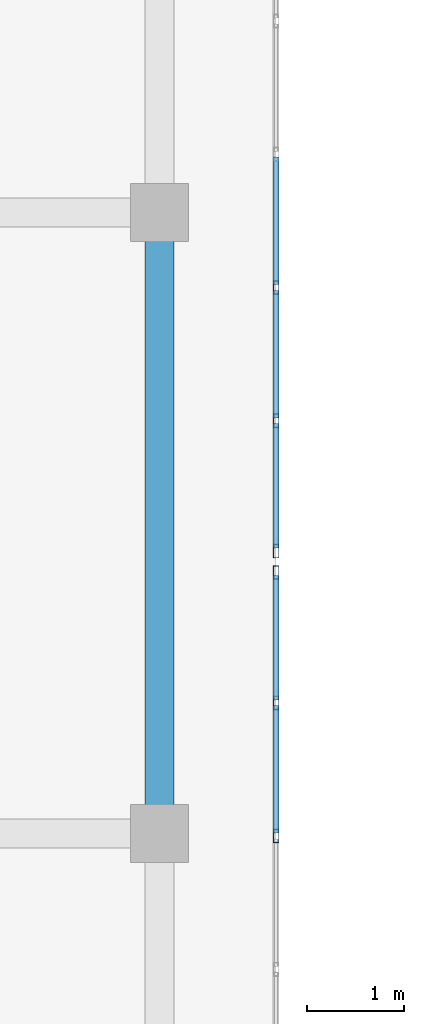
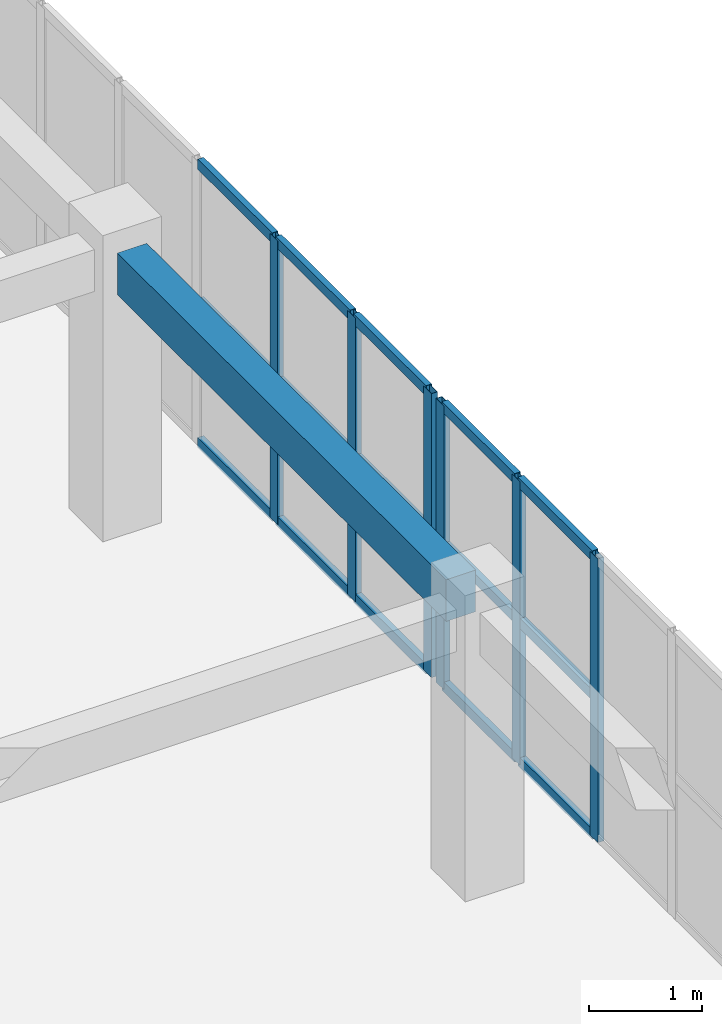
# One storey, part 113 of 200: 21 members, 1 beam, 2 elements without a shape of their own.
"""IFC4 building model written with IfcOpenShell, lengths in metres."""

from ifc_helpers import new_model, si_unit, direction, frame, origin, origin_2d, place, context, subcontext, project, spatial, rectangle, hollow_rectangle, extrude, material, layer, layer_set, material_profile, profile_set, type_object, element, aggregate, save


model = new_model("IFC4")

# Units and contexts
model_context = context("Model", 3, precision=1e-05, world=origin(), true_north=direction((0.0, 1.0)))
body_context = subcontext(model_context, "Body", "Model", "MODEL_VIEW")
ifc_project = project(units=[si_unit("LENGTHUNIT", "METRE"), si_unit("AREAUNIT", "SQUARE_METRE"), si_unit("VOLUMEUNIT", "CUBIC_METRE"), si_unit("PLANEANGLEUNIT", "RADIAN"), si_unit("MASSUNIT", "GRAM", prefix="KILO")], contexts=[model_context])

# Site, building, storey
site_placement = place(None, origin())
site = spatial("IfcSite", under=ifc_project, at=site_placement, CompositionType="ELEMENT")
building_placement = place(site_placement, origin())
building = spatial("IfcBuilding", under=site, at=building_placement, Name="Trelvath General Hospital", CompositionType="ELEMENT")
storey_placement = place(building_placement, frame((0.0, 0.0, 4.800048828125)))
storey = spatial("IfcBuildingStorey", under=building, at=storey_placement, Name="L01", CompositionType="ELEMENT", Elevation=4.800048828125)

# Beam
ifc_material_1 = material(Name="Concrete C35/45", Category="concrete")
ifc_material_profile_1 = material_profile(ifc_material_1, rectangle(XDim=0.300048828125, YDim=0.449951171875, at=origin_2d()), Name="RCB300x450")
ifc_profile_set_1 = profile_set([ifc_material_profile_1], Name="Concrete C35/45")
beam_type = type_object("IfcBeamType", Name="Beam RC300x450", PredefinedType="BEAM", material=ifc_profile_set_1)
beam_placement = place(storey_placement, frame((120.0, 73.095947265625, 2.8349609375), z_axis=(0.0, 1.0, 0.0), x_axis=(-1.0, 0.0, 0.0)))
element("IfcBeam", 1, at=beam_placement, inside=storey, type_object=beam_type, Name="Cube Interior Ring Beam CUBE-E-T0 L01", PredefinedType="BEAM", context=body_context, shape_type="SweptSolid", body=[
    extrude(rectangle(XDim=0.300048828125, YDim=0.449951171875, at=origin_2d()), origin(), (0.0, 0.0, 1.0), 5.80810546875),
])

# Curtain wall, members
ifc_material_2 = material(Name="Anodised aluminium and low-E glass", Category="aluminium")
ifc_layer = layer(ifc_material_2, 0.14990234375)
ifc_layer_set = layer_set([ifc_layer], Name="Anodised aluminium and low-E glass")
curtain_wall_type = type_object("IfcCurtainWallType", Name="CW CrystalCube 824 306 15", PredefinedType="USERDEFINED", material=ifc_layer_set)
curtain_wall_1_placement = place(storey_placement, origin())
curtain_wall_1 = element("IfcCurtainWall", 2, at=curtain_wall_1_placement, inside=storey, type_object=curtain_wall_type, Name="Crystal Cube Curtain Wall CUBE-E-T0 E5 L01", ObjectType="Unitised Glazed Curtain Wall", PredefinedType="USERDEFINED")
ifc_material_3 = material(Name="Anodised aluminium", Category="aluminium")
ifc_material_profile_2 = material_profile(ifc_material_3, hollow_rectangle(XDim=0.06005859375, YDim=0.139892578125, WallThickness=0.00390625, at=origin_2d()), Name="RHS60x140x4")
ifc_profile_set_2 = profile_set([ifc_material_profile_2], Name="Anodised aluminium")
member_type_1 = type_object("IfcMemberType", Name="CurtainMullion 60x140", PredefinedType="MULLION", material=ifc_profile_set_2)
member_1_placement = place(storey_placement, frame((121.199951171875, 75.489990234375, 0.0), z_axis=(0.0, 0.0, 1.0), x_axis=(1.0, 0.0, 0.0)))
member_1 = element("IfcMember", 3, at=member_1_placement, type_object=member_type_1, Name="CW-166 mullion 1", PredefinedType="MULLION", context=body_context, shape_type="SweptSolid", body=[
    extrude(hollow_rectangle(XDim=0.06005859375, YDim=0.139892578125, WallThickness=0.00390625, at=origin_2d()), origin(), (0.0, 0.0, 1.0), 3.06005859375),
])
member_2_placement = place(storey_placement, frame((121.199951171875, 74.146728515625, 0.0), z_axis=(0.0, 0.0, 1.0), x_axis=(1.0, 0.0, 0.0)))
member_2 = element("IfcMember", 4, at=member_2_placement, type_object=member_type_1, Name="CW-166 mullion 2", PredefinedType="MULLION", context=body_context, shape_type="SweptSolid", body=[
    extrude(hollow_rectangle(XDim=0.06005859375, YDim=0.139892578125, WallThickness=0.00390625, at=origin_2d()), origin(), (0.0, 0.0, 1.0), 3.06005859375),
])
member_3_placement = place(storey_placement, frame((121.199951171875, 72.7734375, 0.0), z_axis=(0.0, 0.0, 1.0), x_axis=(1.0, 0.0, 0.0)))
member_3 = element("IfcMember", 5, at=member_3_placement, type_object=member_type_1, Name="CW-166 mullion 3", PredefinedType="MULLION", context=body_context, shape_type="SweptSolid", body=[
    extrude(hollow_rectangle(XDim=0.06005859375, YDim=0.139892578125, WallThickness=0.00390625, at=origin_2d()), origin(), (0.0, 0.0, 1.0), 3.06005859375),
])

curtain_wall_2_placement = place(storey_placement, origin())
curtain_wall_2 = element("IfcCurtainWall", 6, at=curtain_wall_2_placement, inside=storey, type_object=curtain_wall_type, Name="Crystal Cube Curtain Wall CUBE-E-T0 E6 L01", ObjectType="Unitised Glazed Curtain Wall", PredefinedType="USERDEFINED")
member_4_placement = place(storey_placement, frame((121.199951171875, 78.4267578125, 0.0), z_axis=(0.0, 0.0, 1.0), x_axis=(1.0, 0.0, 0.0)))
member_4 = element("IfcMember", 7, at=member_4_placement, type_object=member_type_1, Name="CW-168 mullion 5", PredefinedType="MULLION", context=body_context, shape_type="SweptSolid", body=[
    extrude(hollow_rectangle(XDim=0.06005859375, YDim=0.139892578125, WallThickness=0.00390625, at=origin_2d()), origin(), (0.0, 0.0, 1.0), 3.06005859375),
])
member_5_placement = place(storey_placement, frame((121.199951171875, 77.05322265625, 0.0), z_axis=(0.0, 0.0, 1.0), x_axis=(1.0, 0.0, 0.0)))
member_5 = element("IfcMember", 8, at=member_5_placement, type_object=member_type_1, Name="CW-168 mullion 6", PredefinedType="MULLION", context=body_context, shape_type="SweptSolid", body=[
    extrude(hollow_rectangle(XDim=0.06005859375, YDim=0.139892578125, WallThickness=0.00390625, at=origin_2d()), origin(), (0.0, 0.0, 1.0), 3.06005859375),
])
member_6_placement = place(storey_placement, frame((121.199951171875, 75.7099609375, 0.0), z_axis=(0.0, 0.0, 1.0), x_axis=(1.0, 0.0, 0.0)))
member_6 = element("IfcMember", 9, at=member_6_placement, type_object=member_type_1, Name="CW-168 mullion 7", PredefinedType="MULLION", context=body_context, shape_type="SweptSolid", body=[
    extrude(hollow_rectangle(XDim=0.06005859375, YDim=0.139892578125, WallThickness=0.00390625, at=origin_2d()), origin(), (0.0, 0.0, 1.0), 3.06005859375),
])

# Member
ifc_material_4 = material(Name="Anodised aluminium", Category="aluminium")
ifc_material_profile_3 = material_profile(ifc_material_4, hollow_rectangle(XDim=0.06005859375, YDim=0.110107421875, WallThickness=0.00390625, at=origin_2d()), Name="RHS60x110x4")
ifc_profile_set_3 = profile_set([ifc_material_profile_3], Name="Anodised aluminium")
member_type_2 = type_object("IfcMemberType", Name="CurtainTransom 60x110", PredefinedType="USERDEFINED", material=ifc_profile_set_3)
member_7_placement = place(storey_placement, frame((121.199951171875, 75.4599609375, 0.030029296875), z_axis=(0.0, -1.0, 0.0), x_axis=(1.0, 0.0, 0.0)))
member_7 = element("IfcMember", 10, at=member_7_placement, type_object=member_type_2, Name="CW-166 transom 1.1", ObjectType="TRANSOM", PredefinedType="USERDEFINED", context=body_context, shape_type="SweptSolid", body=[
    extrude(hollow_rectangle(XDim=0.06005859375, YDim=0.110107421875, WallThickness=0.00390625, at=origin_2d()), origin(), (0.0, 0.0, 1.0), 1.283203125),
])

member_8_placement = place(storey_placement, frame((121.199951171875, 75.4599609375, 1.530029296875), z_axis=(0.0, -1.0, 0.0), x_axis=(1.0, 0.0, 0.0)))
member_8 = element("IfcMember", 11, at=member_8_placement, type_object=member_type_2, Name="CW-166 transom 1.2", ObjectType="TRANSOM", PredefinedType="USERDEFINED", context=body_context, shape_type="SweptSolid", body=[
    extrude(hollow_rectangle(XDim=0.06005859375, YDim=0.110107421875, WallThickness=0.00390625, at=origin_2d()), origin(), (0.0, 0.0, 1.0), 1.283203125),
])

member_9_placement = place(storey_placement, frame((121.199951171875, 75.4599609375, 3.030029296875), z_axis=(0.0, -1.0, 0.0), x_axis=(1.0, 0.0, 0.0)))
member_9 = element("IfcMember", 12, at=member_9_placement, type_object=member_type_2, Name="CW-166 transom 1.3", ObjectType="TRANSOM", PredefinedType="USERDEFINED", context=body_context, shape_type="SweptSolid", body=[
    extrude(hollow_rectangle(XDim=0.06005859375, YDim=0.110107421875, WallThickness=0.00390625, at=origin_2d()), origin(), (0.0, 0.0, 1.0), 1.283203125),
])

member_10_placement = place(storey_placement, frame((121.199951171875, 74.11669921875, 0.030029296875), z_axis=(0.0, -1.0, 0.0), x_axis=(1.0, 0.0, 0.0)))
member_10 = element("IfcMember", 13, at=member_10_placement, type_object=member_type_2, Name="CW-166 transom 2.1", ObjectType="TRANSOM", PredefinedType="USERDEFINED", context=body_context, shape_type="SweptSolid", body=[
    extrude(hollow_rectangle(XDim=0.06005859375, YDim=0.110107421875, WallThickness=0.00390625, at=origin_2d()), origin(), (0.0, 0.0, 1.0), 1.3134765625),
])

member_11_placement = place(storey_placement, frame((121.199951171875, 74.11669921875, 1.530029296875), z_axis=(0.0, -1.0, 0.0), x_axis=(1.0, 0.0, 0.0)))
member_11 = element("IfcMember", 14, at=member_11_placement, type_object=member_type_2, Name="CW-166 transom 2.2", ObjectType="TRANSOM", PredefinedType="USERDEFINED", context=body_context, shape_type="SweptSolid", body=[
    extrude(hollow_rectangle(XDim=0.06005859375, YDim=0.110107421875, WallThickness=0.00390625, at=origin_2d()), origin(), (0.0, 0.0, 1.0), 1.3134765625),
])

member_12_placement = place(storey_placement, frame((121.199951171875, 74.11669921875, 3.030029296875), z_axis=(0.0, -1.0, 0.0), x_axis=(1.0, 0.0, 0.0)))
member_12 = element("IfcMember", 15, at=member_12_placement, type_object=member_type_2, Name="CW-166 transom 2.3", ObjectType="TRANSOM", PredefinedType="USERDEFINED", context=body_context, shape_type="SweptSolid", body=[
    extrude(hollow_rectangle(XDim=0.06005859375, YDim=0.110107421875, WallThickness=0.00390625, at=origin_2d()), origin(), (0.0, 0.0, 1.0), 1.3134765625),
])

aggregate(curtain_wall_1, [member_1, member_2, member_3, member_7, member_8, member_9, member_10, member_11, member_12])

member_13_placement = place(storey_placement, frame((121.199951171875, 79.77001953125, 0.030029296875), z_axis=(0.0, -1.0, 0.0), x_axis=(1.0, 0.0, 0.0)))
member_13 = element("IfcMember", 16, at=member_13_placement, type_object=member_type_2, Name="CW-168 transom 4.1", ObjectType="TRANSOM", PredefinedType="USERDEFINED", context=body_context, shape_type="SweptSolid", body=[
    extrude(hollow_rectangle(XDim=0.06005859375, YDim=0.110107421875, WallThickness=0.00390625, at=origin_2d()), origin(), (0.0, 0.0, 1.0), 1.313232421875),
])

member_14_placement = place(storey_placement, frame((121.199951171875, 79.77001953125, 1.530029296875), z_axis=(0.0, -1.0, 0.0), x_axis=(1.0, 0.0, 0.0)))
member_14 = element("IfcMember", 17, at=member_14_placement, type_object=member_type_2, Name="CW-168 transom 4.2", ObjectType="TRANSOM", PredefinedType="USERDEFINED", context=body_context, shape_type="SweptSolid", body=[
    extrude(hollow_rectangle(XDim=0.06005859375, YDim=0.110107421875, WallThickness=0.00390625, at=origin_2d()), origin(), (0.0, 0.0, 1.0), 1.313232421875),
])

member_15_placement = place(storey_placement, frame((121.199951171875, 79.77001953125, 3.030029296875), z_axis=(0.0, -1.0, 0.0), x_axis=(1.0, 0.0, 0.0)))
member_15 = element("IfcMember", 18, at=member_15_placement, type_object=member_type_2, Name="CW-168 transom 4.3", ObjectType="TRANSOM", PredefinedType="USERDEFINED", context=body_context, shape_type="SweptSolid", body=[
    extrude(hollow_rectangle(XDim=0.06005859375, YDim=0.110107421875, WallThickness=0.00390625, at=origin_2d()), origin(), (0.0, 0.0, 1.0), 1.313232421875),
])

member_16_placement = place(storey_placement, frame((121.199951171875, 78.396728515625, 0.030029296875), z_axis=(0.0, -1.0, 0.0), x_axis=(1.0, 0.0, 0.0)))
member_16 = element("IfcMember", 19, at=member_16_placement, type_object=member_type_2, Name="CW-168 transom 5.1", ObjectType="TRANSOM", PredefinedType="USERDEFINED", context=body_context, shape_type="SweptSolid", body=[
    extrude(hollow_rectangle(XDim=0.06005859375, YDim=0.110107421875, WallThickness=0.00390625, at=origin_2d()), origin(), (0.0, 0.0, 1.0), 1.3134765625),
])

member_17_placement = place(storey_placement, frame((121.199951171875, 78.396728515625, 1.530029296875), z_axis=(0.0, -1.0, 0.0), x_axis=(1.0, 0.0, 0.0)))
member_17 = element("IfcMember", 20, at=member_17_placement, type_object=member_type_2, Name="CW-168 transom 5.2", ObjectType="TRANSOM", PredefinedType="USERDEFINED", context=body_context, shape_type="SweptSolid", body=[
    extrude(hollow_rectangle(XDim=0.06005859375, YDim=0.110107421875, WallThickness=0.00390625, at=origin_2d()), origin(), (0.0, 0.0, 1.0), 1.3134765625),
])

member_18_placement = place(storey_placement, frame((121.199951171875, 78.396728515625, 3.030029296875), z_axis=(0.0, -1.0, 0.0), x_axis=(1.0, 0.0, 0.0)))
member_18 = element("IfcMember", 21, at=member_18_placement, type_object=member_type_2, Name="CW-168 transom 5.3", ObjectType="TRANSOM", PredefinedType="USERDEFINED", context=body_context, shape_type="SweptSolid", body=[
    extrude(hollow_rectangle(XDim=0.06005859375, YDim=0.110107421875, WallThickness=0.00390625, at=origin_2d()), origin(), (0.0, 0.0, 1.0), 1.3134765625),
])

member_19_placement = place(storey_placement, frame((121.199951171875, 77.0234375, 0.030029296875), z_axis=(0.0, -1.0, 0.0), x_axis=(1.0, 0.0, 0.0)))
member_19 = element("IfcMember", 22, at=member_19_placement, type_object=member_type_2, Name="CW-168 transom 6.1", ObjectType="TRANSOM", PredefinedType="USERDEFINED", context=body_context, shape_type="SweptSolid", body=[
    extrude(hollow_rectangle(XDim=0.06005859375, YDim=0.110107421875, WallThickness=0.00390625, at=origin_2d()), origin(), (0.0, 0.0, 1.0), 1.283447265625),
])

member_20_placement = place(storey_placement, frame((121.199951171875, 77.0234375, 1.530029296875), z_axis=(0.0, -1.0, 0.0), x_axis=(1.0, 0.0, 0.0)))
member_20 = element("IfcMember", 23, at=member_20_placement, type_object=member_type_2, Name="CW-168 transom 6.2", ObjectType="TRANSOM", PredefinedType="USERDEFINED", context=body_context, shape_type="SweptSolid", body=[
    extrude(hollow_rectangle(XDim=0.06005859375, YDim=0.110107421875, WallThickness=0.00390625, at=origin_2d()), origin(), (0.0, 0.0, 1.0), 1.283447265625),
])

member_21_placement = place(storey_placement, frame((121.199951171875, 77.0234375, 3.030029296875), z_axis=(0.0, -1.0, 0.0), x_axis=(1.0, 0.0, 0.0)))
member_21 = element("IfcMember", 24, at=member_21_placement, type_object=member_type_2, Name="CW-168 transom 6.3", ObjectType="TRANSOM", PredefinedType="USERDEFINED", context=body_context, shape_type="SweptSolid", body=[
    extrude(hollow_rectangle(XDim=0.06005859375, YDim=0.110107421875, WallThickness=0.00390625, at=origin_2d()), origin(), (0.0, 0.0, 1.0), 1.283447265625),
])

aggregate(curtain_wall_2, [member_4, member_5, member_6, member_13, member_14, member_15, member_16, member_17, member_18, member_19, member_20, member_21])

save(model, "model.ifc")
